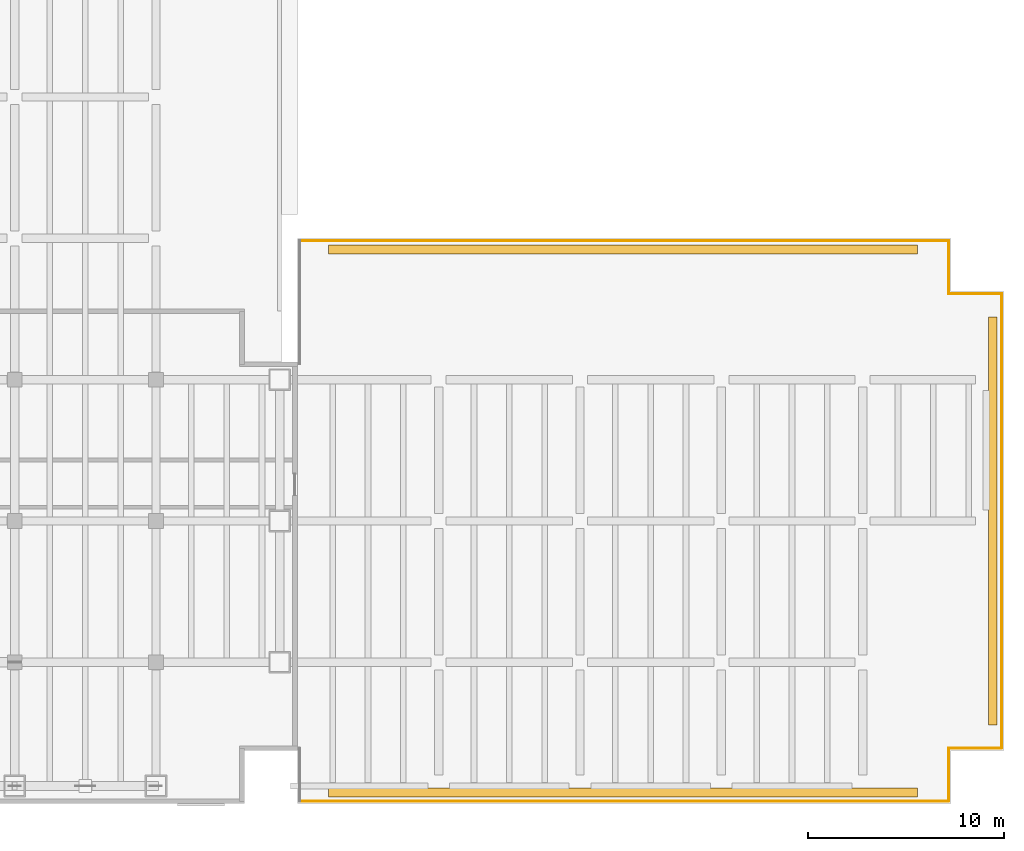
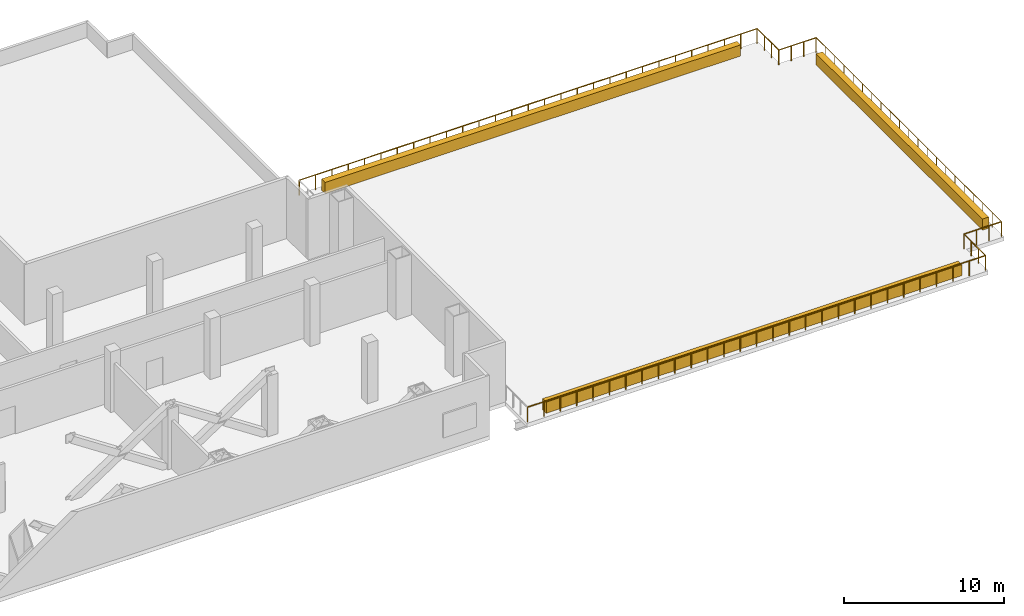
# One storey, part 12 of 12: 7 railings, 3 coverings.
"""IFC4 building model written with IfcOpenShell, lengths in metres."""

from ifc_helpers import new_model, si_unit, direction, frame, origin, origin_2d, place, context, subcontext, project, spatial, polyline, circle, outline, extrude, material, layer, layer_set, type_object, element, save


model = new_model("IFC4")

# Units and contexts
model_context = context("Model", 3, precision=1e-05, world=origin(), true_north=direction((0.0, 1.0)))
body_context = subcontext(model_context, "Body", "Model", "MODEL_VIEW")
ifc_project = project(units=[si_unit("LENGTHUNIT", "METRE"), si_unit("AREAUNIT", "SQUARE_METRE"), si_unit("VOLUMEUNIT", "CUBIC_METRE"), si_unit("PLANEANGLEUNIT", "RADIAN"), si_unit("MASSUNIT", "GRAM", prefix="KILO")], contexts=[model_context])

# Site, building, storey
site_placement = place(None, origin())
site = spatial("IfcSite", under=ifc_project, at=site_placement, CompositionType="ELEMENT")
building_placement = place(site_placement, origin())
building = spatial("IfcBuilding", under=site, at=building_placement, Name="Cobrela Telecom Tower", CompositionType="ELEMENT")
storey_placement = place(building_placement, frame((0.0, 0.0, 26.25)))
storey = spatial("IfcBuildingStorey", under=building, at=storey_placement, Name="L06", CompositionType="ELEMENT", Elevation=26.25)

# Coverings
ifc_material_1 = material(Name="Planted Vegetated Landscape Soil and Foliage System")
ifc_layer = layer(ifc_material_1, 0.85009765625)
ifc_layer_set = layer_set([ifc_layer], Name="Planted Vegetated Landscape Soil and Foliage System")
covering_type = type_object("IfcCoveringType", Name="PLANTER-BED-850", PredefinedType="USERDEFINED", material=ifc_layer_set)
covering_1_placement = place(storey_placement, origin())
element("IfcCovering", 1, at=covering_1_placement, inside=storey, type_object=covering_type, Name="L06 Sky Garden Planted Parapet Bed POD-S", ObjectType="PLANTER", PredefinedType="USERDEFINED", context=body_context, shape_type="SweptSolid", body=[
    extrude(outline(polyline([(52.0, 0.35009765625), (82.0, 0.35009765625), (82.0, 0.800048828125), (52.0, 0.800048828125), (52.0, 0.35009765625)])), origin(), (0.0, 0.0, 1.0), 0.85009765625),
])
covering_2_placement = place(storey_placement, origin())
element("IfcCovering", 2, at=covering_2_placement, inside=storey, type_object=covering_type, Name="L06 Sky Garden Planted Parapet Bed POD-E", ObjectType="PLANTER", PredefinedType="USERDEFINED", context=body_context, shape_type="SweptSolid", body=[
    extrude(outline(polyline([(85.60009765625, 4.0), (86.050048828125, 4.0), (86.050048828125, 24.800048828125), (85.60009765625, 24.800048828125), (85.60009765625, 4.0)])), origin(), (0.0, 0.0, 1.0), 0.85009765625),
])
covering_3_placement = place(storey_placement, origin())
element("IfcCovering", 3, at=covering_3_placement, inside=storey, type_object=covering_type, Name="L06 Sky Garden Planted Parapet Bed POD-N", ObjectType="PLANTER", PredefinedType="USERDEFINED", context=body_context, shape_type="SweptSolid", body=[
    extrude(outline(polyline([(52.0, 28.0), (82.0, 28.0), (82.0, 28.449951171875), (52.0, 28.449951171875), (52.0, 28.0)])), origin(), (0.0, 0.0, 1.0), 0.85009765625),
])

# Railings
ifc_material_2 = material(Name="Anodized Bronze Aluminium 6063-T6", Category="aluminium")
railing_type = type_object("IfcRailingType", Name="RAIL-BAL-1150", PredefinedType="BALUSTRADE", material=ifc_material_2)
railing_1_placement = place(storey_placement, frame((50.52001953125, 0.1201171875, 0.0)))
element("IfcRailing", 4, at=railing_1_placement, inside=storey, type_object=railing_type, Name="L06 Outdoor Terrace Perimeter Balustrade POD-S1", PredefinedType="BALUSTRADE", context=body_context, shape_type="SweptSolid", body=[
    extrude(circle(Radius=0.02392578125, at=origin_2d()), frame((0.0, 0.0, 1.1259765625), z_axis=(1.0, 0.0, 0.0), x_axis=(0.0, 1.0, 0.0)), (0.0, 0.0, 1.0), 33.06005859375),
    extrude(circle(Radius=0.02099609375, at=origin_2d()), origin(), (0.0, 0.0, 1.0), 1.101806640625),
    extrude(circle(Radius=0.02099609375, at=origin_2d()), frame((1.1806640625, 0.0, 0.0)), (0.0, 0.0, 1.0), 1.101806640625),
    extrude(circle(Radius=0.02099609375, at=origin_2d()), frame((2.361328125, 0.0, 0.0)), (0.0, 0.0, 1.0), 1.101806640625),
    extrude(circle(Radius=0.02099609375, at=origin_2d()), frame((3.542236328125, 0.0, 0.0)), (0.0, 0.0, 1.0), 1.101806640625),
    extrude(circle(Radius=0.02099609375, at=origin_2d()), frame((4.722900390625, 0.0, 0.0)), (0.0, 0.0, 1.0), 1.101806640625),
    extrude(circle(Radius=0.02099609375, at=origin_2d()), frame((5.903564453125, 0.0, 0.0)), (0.0, 0.0, 1.0), 1.101806640625),
    extrude(circle(Radius=0.02099609375, at=origin_2d()), frame((7.084228515625, 0.0, 0.0)), (0.0, 0.0, 1.0), 1.101806640625),
    extrude(circle(Radius=0.02099609375, at=origin_2d()), frame((8.26513671875, 0.0, 0.0)), (0.0, 0.0, 1.0), 1.101806640625),
    extrude(circle(Radius=0.02099609375, at=origin_2d()), frame((9.44580078125, 0.0, 0.0)), (0.0, 0.0, 1.0), 1.101806640625),
    extrude(circle(Radius=0.02099609375, at=origin_2d()), frame((10.62646484375, 0.0, 0.0)), (0.0, 0.0, 1.0), 1.101806640625),
    extrude(circle(Radius=0.02099609375, at=origin_2d()), frame((11.80712890625, 0.0, 0.0)), (0.0, 0.0, 1.0), 1.101806640625),
    extrude(circle(Radius=0.02099609375, at=origin_2d()), frame((12.98779296875, 0.0, 0.0)), (0.0, 0.0, 1.0), 1.101806640625),
    extrude(circle(Radius=0.02099609375, at=origin_2d()), frame((14.168701171875, 0.0, 0.0)), (0.0, 0.0, 1.0), 1.101806640625),
    extrude(circle(Radius=0.02099609375, at=origin_2d()), frame((15.349365234375, 0.0, 0.0)), (0.0, 0.0, 1.0), 1.101806640625),
    extrude(circle(Radius=0.02099609375, at=origin_2d()), frame((16.530029296875, 0.0, 0.0)), (0.0, 0.0, 1.0), 1.101806640625),
    extrude(circle(Radius=0.02099609375, at=origin_2d()), frame((17.710693359375, 0.0, 0.0)), (0.0, 0.0, 1.0), 1.101806640625),
    extrude(circle(Radius=0.02099609375, at=origin_2d()), frame((18.891357421875, 0.0, 0.0)), (0.0, 0.0, 1.0), 1.101806640625),
    extrude(circle(Radius=0.02099609375, at=origin_2d()), frame((20.072265625, 0.0, 0.0)), (0.0, 0.0, 1.0), 1.101806640625),
    extrude(circle(Radius=0.02099609375, at=origin_2d()), frame((21.2529296875, 0.0, 0.0)), (0.0, 0.0, 1.0), 1.101806640625),
    extrude(circle(Radius=0.02099609375, at=origin_2d()), frame((22.43359375, 0.0, 0.0)), (0.0, 0.0, 1.0), 1.101806640625),
    extrude(circle(Radius=0.02099609375, at=origin_2d()), frame((23.6142578125, 0.0, 0.0)), (0.0, 0.0, 1.0), 1.101806640625),
    extrude(circle(Radius=0.02099609375, at=origin_2d()), frame((24.794921875, 0.0, 0.0)), (0.0, 0.0, 1.0), 1.101806640625),
    extrude(circle(Radius=0.02099609375, at=origin_2d()), frame((25.975830078125, 0.0, 0.0)), (0.0, 0.0, 1.0), 1.101806640625),
    extrude(circle(Radius=0.02099609375, at=origin_2d()), frame((27.156494140625, 0.0, 0.0)), (0.0, 0.0, 1.0), 1.101806640625),
    extrude(circle(Radius=0.02099609375, at=origin_2d()), frame((28.337158203125, 0.0, 0.0)), (0.0, 0.0, 1.0), 1.101806640625),
    extrude(circle(Radius=0.02099609375, at=origin_2d()), frame((29.517822265625, 0.0, 0.0)), (0.0, 0.0, 1.0), 1.101806640625),
    extrude(circle(Radius=0.02099609375, at=origin_2d()), frame((30.69873046875, 0.0, 0.0)), (0.0, 0.0, 1.0), 1.101806640625),
    extrude(circle(Radius=0.02099609375, at=origin_2d()), frame((31.87939453125, 0.0, 0.0)), (0.0, 0.0, 1.0), 1.101806640625),
    extrude(circle(Radius=0.02099609375, at=origin_2d()), frame((33.06005859375, 0.0, 0.0)), (0.0, 0.0, 1.0), 1.101806640625),
])
railing_2_placement = place(storey_placement, frame((83.580078125, 0.1201171875, 0.0)))
element("IfcRailing", 5, at=railing_2_placement, inside=storey, type_object=railing_type, Name="L06 Outdoor Terrace Perimeter Balustrade POD-S2", PredefinedType="BALUSTRADE", context=body_context, shape_type="SweptSolid", body=[
    extrude(circle(Radius=0.02392578125, at=origin_2d()), frame((0.0, 0.0, 1.1259765625), z_axis=(0.0, 1.0, 0.0), x_axis=(-1.0, 0.0, 0.0)), (0.0, 0.0, 1.0), 2.699951171875),
    extrude(circle(Radius=0.02099609375, at=origin_2d()), origin(), (0.0, 0.0, 1.0), 1.101806640625),
    extrude(circle(Radius=0.02099609375, at=origin_2d()), frame((0.0, 0.89990234375, 0.0)), (0.0, 0.0, 1.0), 1.101806640625),
    extrude(circle(Radius=0.02099609375, at=origin_2d()), frame((0.0, 1.800048828125, 0.0)), (0.0, 0.0, 1.0), 1.101806640625),
    extrude(circle(Radius=0.02099609375, at=origin_2d()), frame((0.0, 2.699951171875, 0.0)), (0.0, 0.0, 1.0), 1.101806640625),
])
railing_3_placement = place(storey_placement, frame((83.580078125, 2.820068359375, 0.0)))
element("IfcRailing", 6, at=railing_3_placement, inside=storey, type_object=railing_type, Name="L06 Outdoor Terrace Perimeter Balustrade POD-S3", PredefinedType="BALUSTRADE", context=body_context, shape_type="SweptSolid", body=[
    extrude(circle(Radius=0.02392578125, at=origin_2d()), frame((0.0, 0.0, 1.1259765625), z_axis=(1.0, 0.0, 0.0), x_axis=(0.0, 1.0, 0.0)), (0.0, 0.0, 1.0), 2.699951171875),
    extrude(circle(Radius=0.02099609375, at=origin_2d()), origin(), (0.0, 0.0, 1.0), 1.101806640625),
    extrude(circle(Radius=0.02099609375, at=origin_2d()), frame((0.89990234375, 0.0, 0.0)), (0.0, 0.0, 1.0), 1.101806640625),
    extrude(circle(Radius=0.02099609375, at=origin_2d()), frame((1.800048828125, 0.0, 0.0)), (0.0, 0.0, 1.0), 1.101806640625),
    extrude(circle(Radius=0.02099609375, at=origin_2d()), frame((2.699951171875, 0.0, 0.0)), (0.0, 0.0, 1.0), 1.101806640625),
])
railing_4_placement = place(storey_placement, frame((86.280029296875, 2.820068359375, 0.0)))
element("IfcRailing", 7, at=railing_4_placement, inside=storey, type_object=railing_type, Name="L06 Outdoor Terrace Perimeter Balustrade POD-E", PredefinedType="BALUSTRADE", context=body_context, shape_type="SweptSolid", body=[
    extrude(circle(Radius=0.02392578125, at=origin_2d()), frame((0.0, 0.0, 1.1259765625), z_axis=(0.0, 1.0, 0.0), x_axis=(-1.0, 0.0, 0.0)), (0.0, 0.0, 1.0), 23.159912109375),
    extrude(circle(Radius=0.02099609375, at=origin_2d()), origin(), (0.0, 0.0, 1.0), 1.101806640625),
    extrude(circle(Radius=0.02099609375, at=origin_2d()), frame((0.0, 1.157958984375, 0.0)), (0.0, 0.0, 1.0), 1.101806640625),
    extrude(circle(Radius=0.02099609375, at=origin_2d()), frame((0.0, 2.31591796875, 0.0)), (0.0, 0.0, 1.0), 1.101806640625),
    extrude(circle(Radius=0.02099609375, at=origin_2d()), frame((0.0, 3.473876953125, 0.0)), (0.0, 0.0, 1.0), 1.101806640625),
    extrude(circle(Radius=0.02099609375, at=origin_2d()), frame((0.0, 4.632080078125, 0.0)), (0.0, 0.0, 1.0), 1.101806640625),
    extrude(circle(Radius=0.02099609375, at=origin_2d()), frame((0.0, 5.7900390625, 0.0)), (0.0, 0.0, 1.0), 1.101806640625),
    extrude(circle(Radius=0.02099609375, at=origin_2d()), frame((0.0, 6.947998046875, 0.0)), (0.0, 0.0, 1.0), 1.101806640625),
    extrude(circle(Radius=0.02099609375, at=origin_2d()), frame((0.0, 8.10595703125, 0.0)), (0.0, 0.0, 1.0), 1.101806640625),
    extrude(circle(Radius=0.02099609375, at=origin_2d()), frame((0.0, 9.263916015625, 0.0)), (0.0, 0.0, 1.0), 1.101806640625),
    extrude(circle(Radius=0.02099609375, at=origin_2d()), frame((0.0, 10.421875, 0.0)), (0.0, 0.0, 1.0), 1.101806640625),
    extrude(circle(Radius=0.02099609375, at=origin_2d()), frame((0.0, 11.580078125, 0.0)), (0.0, 0.0, 1.0), 1.101806640625),
    extrude(circle(Radius=0.02099609375, at=origin_2d()), frame((0.0, 12.738037109375, 0.0)), (0.0, 0.0, 1.0), 1.101806640625),
    extrude(circle(Radius=0.02099609375, at=origin_2d()), frame((0.0, 13.89599609375, 0.0)), (0.0, 0.0, 1.0), 1.101806640625),
    extrude(circle(Radius=0.02099609375, at=origin_2d()), frame((0.0, 15.053955078125, 0.0)), (0.0, 0.0, 1.0), 1.101806640625),
    extrude(circle(Radius=0.02099609375, at=origin_2d()), frame((0.0, 16.2119140625, 0.0)), (0.0, 0.0, 1.0), 1.101806640625),
    extrude(circle(Radius=0.02099609375, at=origin_2d()), frame((0.0, 17.369873046875, 0.0)), (0.0, 0.0, 1.0), 1.101806640625),
    extrude(circle(Radius=0.02099609375, at=origin_2d()), frame((0.0, 18.52783203125, 0.0)), (0.0, 0.0, 1.0), 1.101806640625),
    extrude(circle(Radius=0.02099609375, at=origin_2d()), frame((0.0, 19.68603515625, 0.0)), (0.0, 0.0, 1.0), 1.101806640625),
    extrude(circle(Radius=0.02099609375, at=origin_2d()), frame((0.0, 20.843994140625, 0.0)), (0.0, 0.0, 1.0), 1.101806640625),
    extrude(circle(Radius=0.02099609375, at=origin_2d()), frame((0.0, 22.001953125, 0.0)), (0.0, 0.0, 1.0), 1.101806640625),
    extrude(circle(Radius=0.02099609375, at=origin_2d()), frame((0.0, 23.159912109375, 0.0)), (0.0, 0.0, 1.0), 1.101806640625),
])
railing_5_placement = place(storey_placement, frame((86.280029296875, 25.97998046875, 0.0)))
element("IfcRailing", 8, at=railing_5_placement, inside=storey, type_object=railing_type, Name="L06 Outdoor Terrace Perimeter Balustrade POD-N3", PredefinedType="BALUSTRADE", context=body_context, shape_type="SweptSolid", body=[
    extrude(circle(Radius=0.02392578125, at=origin_2d()), frame((0.0, 0.0, 1.1259765625), z_axis=(-1.0, 0.0, 0.0), x_axis=(0.0, -1.0, 0.0)), (0.0, 0.0, 1.0), 2.699951171875),
    extrude(circle(Radius=0.02099609375, at=origin_2d()), origin(), (0.0, 0.0, 1.0), 1.101806640625),
    extrude(circle(Radius=0.02099609375, at=origin_2d()), frame((-0.89990234375, 0.0, 0.0)), (0.0, 0.0, 1.0), 1.101806640625),
    extrude(circle(Radius=0.02099609375, at=origin_2d()), frame((-1.800048828125, 0.0, 0.0)), (0.0, 0.0, 1.0), 1.101806640625),
    extrude(circle(Radius=0.02099609375, at=origin_2d()), frame((-2.699951171875, 0.0, 0.0)), (0.0, 0.0, 1.0), 1.101806640625),
])
railing_6_placement = place(storey_placement, frame((83.580078125, 25.97998046875, 0.0)))
element("IfcRailing", 9, at=railing_6_placement, inside=storey, type_object=railing_type, Name="L06 Outdoor Terrace Perimeter Balustrade POD-N2", PredefinedType="BALUSTRADE", context=body_context, shape_type="SweptSolid", body=[
    extrude(circle(Radius=0.02392578125, at=origin_2d()), frame((0.0, 0.0, 1.1259765625), z_axis=(0.0, 1.0, 0.0), x_axis=(-1.0, 0.0, 0.0)), (0.0, 0.0, 1.0), 2.699951171875),
    extrude(circle(Radius=0.02099609375, at=origin_2d()), origin(), (0.0, 0.0, 1.0), 1.101806640625),
    extrude(circle(Radius=0.02099609375, at=origin_2d()), frame((0.0, 0.89990234375, 0.0)), (0.0, 0.0, 1.0), 1.101806640625),
    extrude(circle(Radius=0.02099609375, at=origin_2d()), frame((0.0, 1.800048828125, 0.0)), (0.0, 0.0, 1.0), 1.101806640625),
    extrude(circle(Radius=0.02099609375, at=origin_2d()), frame((0.0, 2.699951171875, 0.0)), (0.0, 0.0, 1.0), 1.101806640625),
])
railing_7_placement = place(storey_placement, frame((83.580078125, 28.679931640625, 0.0)))
element("IfcRailing", 10, at=railing_7_placement, inside=storey, type_object=railing_type, Name="L06 Outdoor Terrace Perimeter Balustrade POD-N1", PredefinedType="BALUSTRADE", context=body_context, shape_type="SweptSolid", body=[
    extrude(circle(Radius=0.02392578125, at=origin_2d()), frame((0.0, 0.0, 1.1259765625), z_axis=(-1.0, 0.0, 0.0), x_axis=(0.0, -1.0, 0.0)), (0.0, 0.0, 1.0), 33.06005859375),
    extrude(circle(Radius=0.02099609375, at=origin_2d()), origin(), (0.0, 0.0, 1.0), 1.101806640625),
    extrude(circle(Radius=0.02099609375, at=origin_2d()), frame((-1.1806640625, 0.0, 0.0)), (0.0, 0.0, 1.0), 1.101806640625),
    extrude(circle(Radius=0.02099609375, at=origin_2d()), frame((-2.361328125, 0.0, 0.0)), (0.0, 0.0, 1.0), 1.101806640625),
    extrude(circle(Radius=0.02099609375, at=origin_2d()), frame((-3.542236328125, 0.0, 0.0)), (0.0, 0.0, 1.0), 1.101806640625),
    extrude(circle(Radius=0.02099609375, at=origin_2d()), frame((-4.722900390625, 0.0, 0.0)), (0.0, 0.0, 1.0), 1.101806640625),
    extrude(circle(Radius=0.02099609375, at=origin_2d()), frame((-5.903564453125, 0.0, 0.0)), (0.0, 0.0, 1.0), 1.101806640625),
    extrude(circle(Radius=0.02099609375, at=origin_2d()), frame((-7.084228515625, 0.0, 0.0)), (0.0, 0.0, 1.0), 1.101806640625),
    extrude(circle(Radius=0.02099609375, at=origin_2d()), frame((-8.26513671875, 0.0, 0.0)), (0.0, 0.0, 1.0), 1.101806640625),
    extrude(circle(Radius=0.02099609375, at=origin_2d()), frame((-9.44580078125, 0.0, 0.0)), (0.0, 0.0, 1.0), 1.101806640625),
    extrude(circle(Radius=0.02099609375, at=origin_2d()), frame((-10.62646484375, 0.0, 0.0)), (0.0, 0.0, 1.0), 1.101806640625),
    extrude(circle(Radius=0.02099609375, at=origin_2d()), frame((-11.80712890625, 0.0, 0.0)), (0.0, 0.0, 1.0), 1.101806640625),
    extrude(circle(Radius=0.02099609375, at=origin_2d()), frame((-12.98779296875, 0.0, 0.0)), (0.0, 0.0, 1.0), 1.101806640625),
    extrude(circle(Radius=0.02099609375, at=origin_2d()), frame((-14.168701171875, 0.0, 0.0)), (0.0, 0.0, 1.0), 1.101806640625),
    extrude(circle(Radius=0.02099609375, at=origin_2d()), frame((-15.349365234375, 0.0, 0.0)), (0.0, 0.0, 1.0), 1.101806640625),
    extrude(circle(Radius=0.02099609375, at=origin_2d()), frame((-16.530029296875, 0.0, 0.0)), (0.0, 0.0, 1.0), 1.101806640625),
    extrude(circle(Radius=0.02099609375, at=origin_2d()), frame((-17.710693359375, 0.0, 0.0)), (0.0, 0.0, 1.0), 1.101806640625),
    extrude(circle(Radius=0.02099609375, at=origin_2d()), frame((-18.891357421875, 0.0, 0.0)), (0.0, 0.0, 1.0), 1.101806640625),
    extrude(circle(Radius=0.02099609375, at=origin_2d()), frame((-20.072265625, 0.0, 0.0)), (0.0, 0.0, 1.0), 1.101806640625),
    extrude(circle(Radius=0.02099609375, at=origin_2d()), frame((-21.2529296875, 0.0, 0.0)), (0.0, 0.0, 1.0), 1.101806640625),
    extrude(circle(Radius=0.02099609375, at=origin_2d()), frame((-22.43359375, 0.0, 0.0)), (0.0, 0.0, 1.0), 1.101806640625),
    extrude(circle(Radius=0.02099609375, at=origin_2d()), frame((-23.6142578125, 0.0, 0.0)), (0.0, 0.0, 1.0), 1.101806640625),
    extrude(circle(Radius=0.02099609375, at=origin_2d()), frame((-24.794921875, 0.0, 0.0)), (0.0, 0.0, 1.0), 1.101806640625),
    extrude(circle(Radius=0.02099609375, at=origin_2d()), frame((-25.975830078125, 0.0, 0.0)), (0.0, 0.0, 1.0), 1.101806640625),
    extrude(circle(Radius=0.02099609375, at=origin_2d()), frame((-27.156494140625, 0.0, 0.0)), (0.0, 0.0, 1.0), 1.101806640625),
    extrude(circle(Radius=0.02099609375, at=origin_2d()), frame((-28.337158203125, 0.0, 0.0)), (0.0, 0.0, 1.0), 1.101806640625),
    extrude(circle(Radius=0.02099609375, at=origin_2d()), frame((-29.517822265625, 0.0, 0.0)), (0.0, 0.0, 1.0), 1.101806640625),
    extrude(circle(Radius=0.02099609375, at=origin_2d()), frame((-30.69873046875, 0.0, 0.0)), (0.0, 0.0, 1.0), 1.101806640625),
    extrude(circle(Radius=0.02099609375, at=origin_2d()), frame((-31.87939453125, 0.0, 0.0)), (0.0, 0.0, 1.0), 1.101806640625),
    extrude(circle(Radius=0.02099609375, at=origin_2d()), frame((-33.06005859375, 0.0, 0.0)), (0.0, 0.0, 1.0), 1.101806640625),
])

save(model, "model.ifc")
